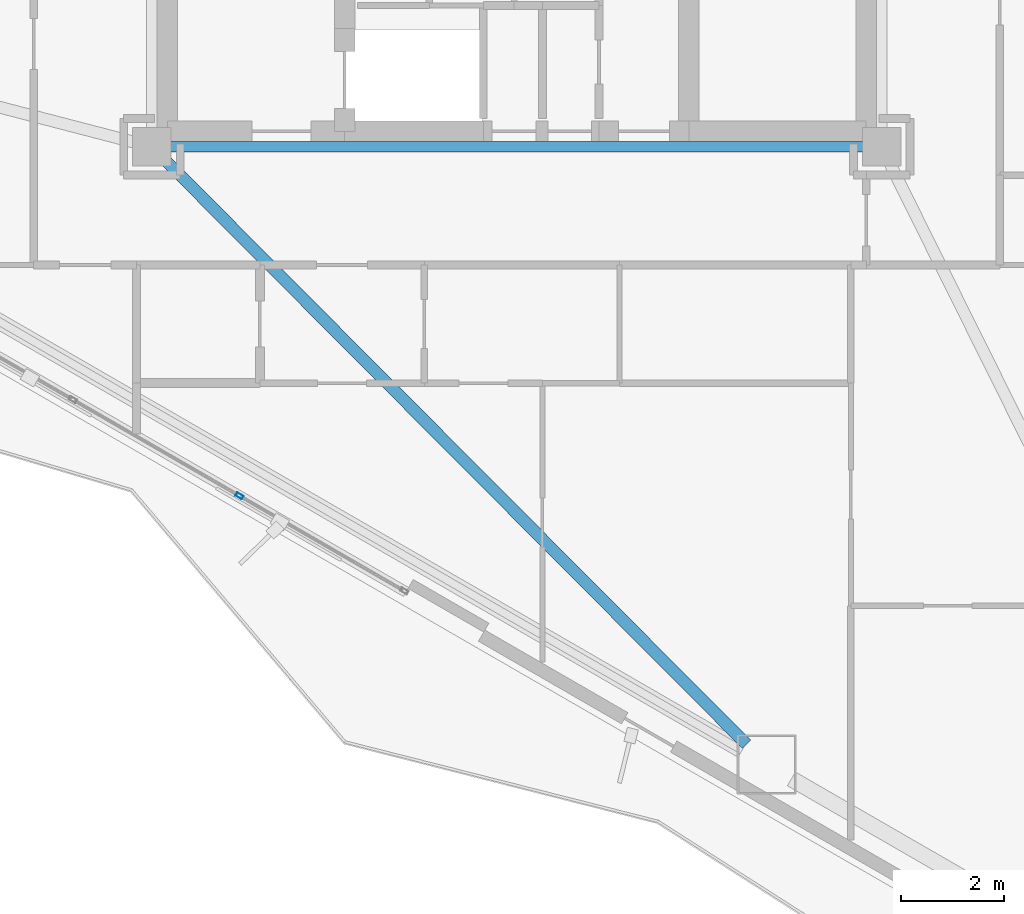
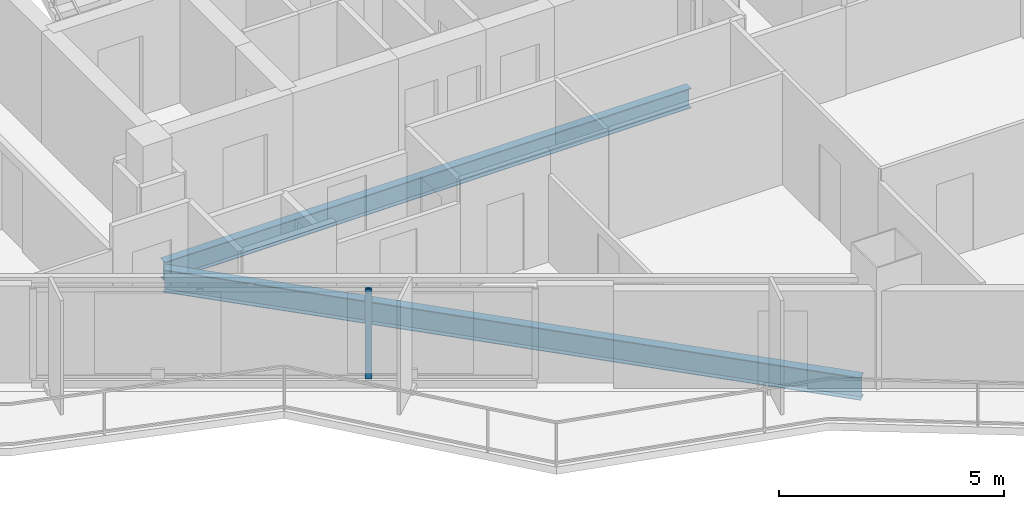
# One storey, part 4 of 22: 2 beams, 1 member, 1 element without a shape of its own.
"""IFC4 building model written with IfcOpenShell, lengths in metres."""

from ifc_helpers import new_model, si_unit, direction, frame, origin, origin_2d, place, context, subcontext, project, spatial, hollow_rectangle, i_section, extrude, material, layer, layer_set, material_profile, profile_set, type_object, element, aggregate, save


model = new_model("IFC4")

# Units and contexts
model_context = context("Model", 3, precision=1e-05, world=origin(), true_north=direction((0.0, 1.0)))
body_context = subcontext(model_context, "Body", "Model", "MODEL_VIEW")
ifc_project = project(units=[si_unit("LENGTHUNIT", "METRE"), si_unit("AREAUNIT", "SQUARE_METRE"), si_unit("VOLUMEUNIT", "CUBIC_METRE"), si_unit("PLANEANGLEUNIT", "RADIAN"), si_unit("MASSUNIT", "GRAM", prefix="KILO")], contexts=[model_context])

# Site, building, storey
site_placement = place(None, origin())
site = spatial("IfcSite", under=ifc_project, at=site_placement, CompositionType="ELEMENT")
building_placement = place(site_placement, origin())
building = spatial("IfcBuilding", under=site, at=building_placement, Name="Mersakhor Tower and Convention Hall", CompositionType="ELEMENT")
storey_placement = place(building_placement, frame((0.0, 0.0, 113.10009765625)))
storey = spatial("IfcBuildingStorey", under=building, at=storey_placement, Name="L31", CompositionType="ELEMENT", Elevation=113.10009765625)

# Beams
ifc_material_1 = material(Name="Steel S355", Category="steel")
ifc_material_profile_1 = material_profile(ifc_material_1, i_section(OverallWidth=0.2099609375, OverallDepth=0.53662109375, WebThickness=0.0107421875, FlangeThickness=0.017333984375, at=origin_2d()), Name="UB 533x210x101")
ifc_profile_set_1 = profile_set([ifc_material_profile_1], Name="Steel S355")
beam_type_1 = type_object("IfcBeamType", Name="BM-FB-533", PredefinedType="BEAM", material=ifc_profile_set_1)
beam_1_placement = place(storey_placement, frame((35.7451171875, 20.449951171875, -0.5185546875), z_axis=(-1.0, 0.0, 0.0), x_axis=(0.0, -1.0, 0.0)))
element("IfcBeam", 1, at=beam_1_placement, inside=storey, type_object=beam_type_1, Name="L31 Core Ring Tie Beam CRB-4", PredefinedType="BEAM", context=body_context, shape_type="SweptSolid", body=[
    extrude(i_section(OverallWidth=0.2099609375, OverallDepth=0.53662109375, WebThickness=0.0107421875, FlangeThickness=0.017333984375, at=origin_2d()), origin(), (0.0, 0.0, 1.0), 13.490234375),
])
ifc_material_2 = material(Name="Steel S355", Category="steel")
ifc_material_profile_2 = material_profile(ifc_material_2, i_section(OverallWidth=0.22900390625, OverallDepth=0.6123046875, WebThickness=0.011962890625, FlangeThickness=0.01953125, at=origin_2d()), Name="UB 610x229x125")
ifc_profile_set_2 = profile_set([ifc_material_profile_2], Name="Steel S355")
beam_type_2 = type_object("IfcBeamType", Name="BM-PR-610", PredefinedType="BEAM", material=ifc_profile_set_2)
beam_2_placement = place(storey_placement, frame((22.150390625, 20.198486328125, -0.55615234375), z_axis=(0.705400971754, -0.708808485452, 0.0), x_axis=(0.708808485452, 0.705400971754, 0.0)))
element("IfcBeam", 2, at=beam_2_placement, inside=storey, type_object=beam_type_2, Name="L31 Primary Floor Girder FG-5", PredefinedType="BEAM", context=body_context, shape_type="SweptSolid", body=[
    extrude(i_section(OverallWidth=0.22900390625, OverallDepth=0.6123046875, WebThickness=0.011962890625, FlangeThickness=0.01953125, at=origin_2d()), origin(), (0.0, 0.0, 1.0), 16.049072265625),
])

# Curtain wall, member
ifc_material_3 = material(Name="Dark solar low-E aluminium curtain wall", Category="aluminium")
ifc_layer = layer(ifc_material_3, 0.159912109375)
ifc_layer_set = layer_set([ifc_layer], Name="Dark solar low-E aluminium curtain wall")
curtain_wall_type = type_object("IfcCurtainWallType", Name="CW-SYS-01", PredefinedType="USERDEFINED", material=ifc_layer_set)
curtain_wall_placement = place(storey_placement, origin())
curtain_wall = element("IfcCurtainWall", 3, at=curtain_wall_placement, inside=storey, type_object=curtain_wall_type, Name="L31 Dark-Glass Curtain Wall F3-B2", ObjectType="CURTAIN WALL", PredefinedType="USERDEFINED")
ifc_material_4 = material(Name="Anodised aluminium EN AW-6063 T6", Category="aluminium")
ifc_material_profile_3 = material_profile(ifc_material_4, hollow_rectangle(XDim=0.074951171875, YDim=0.14990234375, WallThickness=0.00634765625, at=origin_2d()), Name="RHS 150x75x6.3")
ifc_profile_set_3 = profile_set([ifc_material_profile_3], Name="Anodised aluminium EN AW-6063 T6")
member_type = type_object("IfcMemberType", Name="CWM-150x75", PredefinedType="MULLION", material=ifc_profile_set_3)
member_placement = place(storey_placement, frame((23.603515625, 13.659912109375, 0.199951171875), z_axis=(0.0, 0.0, 1.0), x_axis=(-0.499997904985, -0.866026613339, 0.0)))
member = element("IfcMember", 4, at=member_placement, type_object=member_type, Name="CW-01 mullion 2", PredefinedType="MULLION", context=body_context, shape_type="SweptSolid", body=[
    extrude(hollow_rectangle(XDim=0.074951171875, YDim=0.14990234375, WallThickness=0.00634765625, at=origin_2d()), origin(), (0.0, 0.0, 1.0), 2.43994140625),
])
aggregate(curtain_wall, [member])

save(model, "model.ifc")
